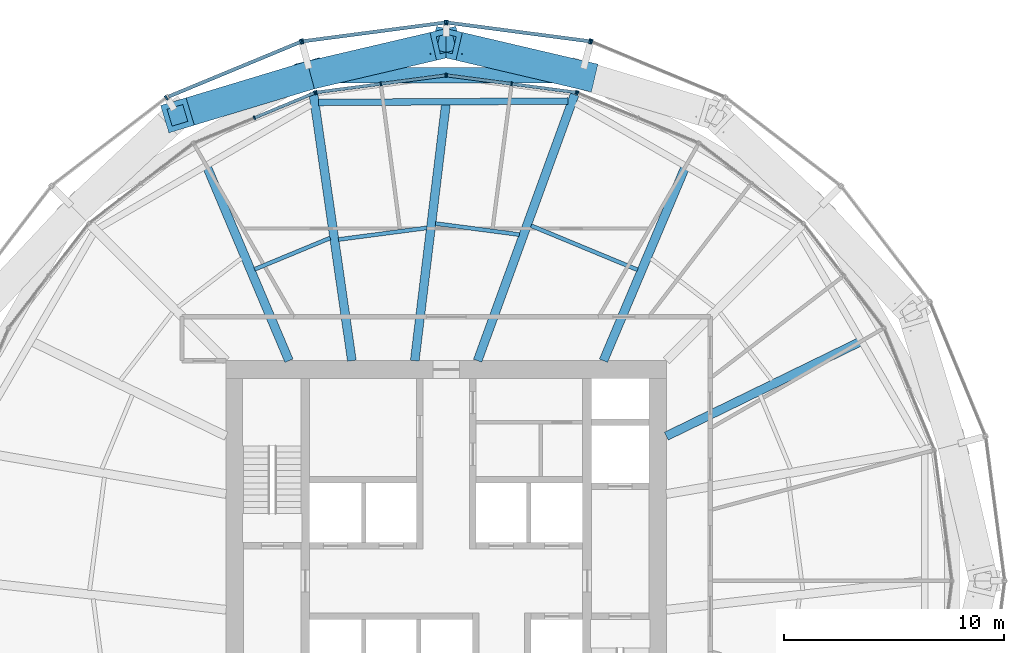
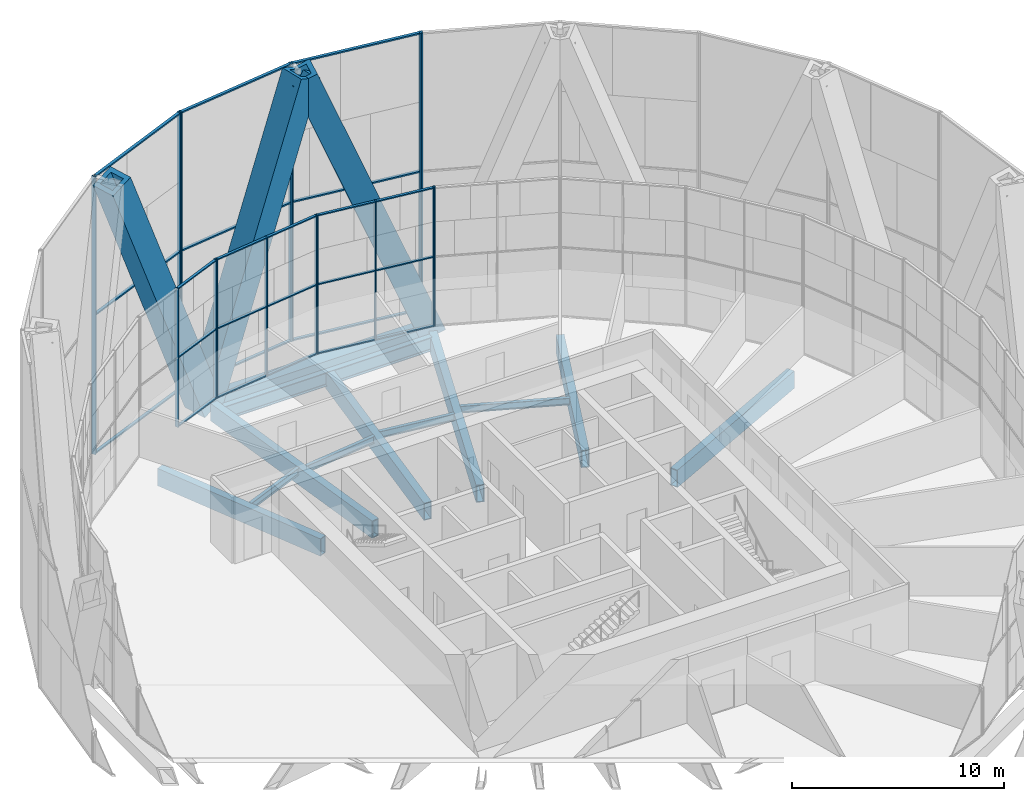
# One storey, part 7 of 22: 43 members, 12 beams, 9 elements without a shape of their own.
"""IFC4 building model written with IfcOpenShell, lengths in metres."""

from ifc_helpers import new_model, si_unit, direction, frame, origin, origin_2d, place, context, subcontext, project, spatial, rectangle, hollow_rectangle, i_section, extrude, material, material_profile, profile_set, type_object, element, aggregate, save


model = new_model("IFC4")

# Units and contexts
model_context = context("Model", 3, precision=1e-05, world=origin(), true_north=direction((0.0, 1.0)))
body_context = subcontext(model_context, "Body", "Model", "MODEL_VIEW")
ifc_project = project(units=[si_unit("LENGTHUNIT", "METRE"), si_unit("AREAUNIT", "SQUARE_METRE"), si_unit("VOLUMEUNIT", "CUBIC_METRE"), si_unit("PLANEANGLEUNIT", "RADIAN"), si_unit("MASSUNIT", "GRAM", prefix="KILO")], contexts=[model_context])

# Site, building, storey
site_placement = place(None, origin())
site = spatial("IfcSite", under=ifc_project, at=site_placement, CompositionType="ELEMENT")
building_placement = place(site_placement, origin())
building = spatial("IfcBuilding", under=site, at=building_placement, Name="Golbaran Civic Tower", CompositionType="ELEMENT")
storey_placement = place(building_placement, frame((0.0, 0.0, 37.0)))
storey = spatial("IfcBuildingStorey", under=building, at=storey_placement, Name="L08", CompositionType="ELEMENT", Elevation=37.0)

# Members
ifc_material_1 = material(Name="Steel S355", Category="steel")
ifc_material_profile_1 = material_profile(ifc_material_1, hollow_rectangle(XDim=1.300048828125, YDim=1.300048828125, WallThickness=0.25, at=origin_2d()), Name="BOX 1300x1300x250")
ifc_profile_set_1 = profile_set([ifc_material_profile_1], Name="Steel S355")
member_type_1 = type_object("IfcMemberType", Name="DIAGRID DIAGONAL BOX 1300x1300x250", PredefinedType="BRACE", material=ifc_profile_set_1)
for number, where, z_axis, x_axis, name in (
    (1, (6.156005859375, 22.974609375, -0.7099609375), (-0.357826251971, 0.083783707779, 0.930021861953), (-0.227980273435, -0.97366575113, 0.0), "Diagonal D01-02R L08-L12"),
    (2, (-6.156005859375, 22.974609375, -0.7099609375), (-0.351780312348, -0.106361428095, 0.930020353787), (0.289412539524, -0.957204461944, 0.0), "Diagonal D01-03R L08-L12"),
    (3, (-6.156005859375, 22.974609375, -0.7099609375), (0.357826251971, 0.083783707779, 0.930021861953), (-0.227980273435, 0.97366575113, 0.0), "Diagonal D01-03L L08-L12"),
):
    element("IfcMember", number, at=place(storey_placement, frame(where, z_axis=z_axis, x_axis=x_axis)), inside=storey, type_object=member_type_1, Name=name, PredefinedType="BRACE", context=body_context, shape_type="SweptSolid", body=[
        extrude(hollow_rectangle(XDim=1.300048828125, YDim=1.300048828125, WallThickness=0.25, at=origin_2d()), origin(), (0.0, 0.0, 1.0), 17.203857421875),
    ])

# Beams
ifc_material_profile_2 = material_profile(ifc_material_1, hollow_rectangle(XDim=0.699951171875, YDim=0.699951171875, WallThickness=0.080078125, at=origin_2d()), Name="BOX 700x700x80")
ifc_profile_set_2 = profile_set([ifc_material_profile_2], Name="Steel S355")
beam_type_1 = type_object("IfcBeamType", Name="DIAGRID RING TIE BOX 700x700x80", PredefinedType="BEAM", material=ifc_profile_set_2)
beam_1_placement = place(storey_placement, frame((6.156005859375, 22.974609375, -0.7099609375), z_axis=(-1.0, 0.0, 0.0), x_axis=(0.0, -1.0, 0.0)))
element("IfcBeam", 4, at=beam_1_placement, inside=storey, type_object=beam_type_1, Name="Ring tie 75.00 L08", PredefinedType="BEAM", context=body_context, shape_type="SweptSolid", body=[
    extrude(hollow_rectangle(XDim=0.699951171875, YDim=0.699951171875, WallThickness=0.080078125, at=origin_2d()), origin(), (0.0, 0.0, 1.0), 12.31201171875),
])
ifc_material_profile_3 = material_profile(ifc_material_1, i_section(OverallWidth=0.300048828125, OverallDepth=0.800048828125, WebThickness=0.017578125, FlangeThickness=0.032958984375, FilletRadius=0.030029296875, at=origin_2d()), Name="HEB 800")
ifc_profile_set_3 = profile_set([ifc_material_profile_3], Name="Steel S355")
beam_type_2 = type_object("IfcBeamType", Name="EDGE BEAM HEB 800", PredefinedType="BEAM", material=ifc_profile_set_3)
beam_2_placement = place(storey_placement, frame((5.5341796875, 21.793701171875, -0.60009765625), z_axis=(-0.999983570269, -0.005732293811, 0.0), x_axis=(0.005732293811, -0.999983570269, 0.0)))
element("IfcBeam", 5, at=beam_2_placement, inside=storey, type_object=beam_type_2, Name="Edge beam 75.00 L08", PredefinedType="BEAM", context=body_context, shape_type="SweptSolid", body=[
    extrude(i_section(OverallWidth=0.300048828125, OverallDepth=0.800048828125, WebThickness=0.017578125, FlangeThickness=0.032958984375, FilletRadius=0.030029296875, at=origin_2d()), origin(), (0.0, 0.0, 1.0), 11.3291015625),
])
ifc_material_profile_4 = material_profile(ifc_material_1, i_section(OverallWidth=0.179931640625, OverallDepth=0.39990234375, WebThickness=0.008544921875, FlangeThickness=0.013427734375, FilletRadius=0.02099609375, at=origin_2d()), Name="IPE 400")
ifc_profile_set_4 = profile_set([ifc_material_profile_4], Name="Steel S355")
beam_type_3 = type_object("IfcBeamType", Name="FLOOR INFILL BEAM IPE 400", PredefinedType="BEAM", material=ifc_profile_set_4)
beam_3_placement = place(storey_placement, frame((8.691162109375, 14.1279296875, -0.39990234375), z_axis=(-0.923869625223, 0.382707349798, 0.0), x_axis=(-0.382707349798, -0.923869625223, 0.0)))
element("IfcBeam", 6, at=beam_3_placement, inside=storey, type_object=beam_type_3, Name="Infill beam 67.50 L08", PredefinedType="BEAM", context=body_context, shape_type="SweptSolid", body=[
    extrude(i_section(OverallWidth=0.179931640625, OverallDepth=0.39990234375, WebThickness=0.008544921875, FlangeThickness=0.013427734375, FilletRadius=0.02099609375, at=origin_2d()), origin(), (0.0, 0.0, 1.0), 5.235595703125),
])
beam_4_placement = place(storey_placement, frame((3.32373046875, 15.72705078125, -0.39990234375), z_axis=(-0.99144435734, 0.130530020676, 0.0), x_axis=(-0.130530020676, -0.99144435734, 0.0)))
element("IfcBeam", 7, at=beam_4_placement, inside=storey, type_object=beam_type_3, Name="Infill beam 82.50 L08", PredefinedType="BEAM", context=body_context, shape_type="SweptSolid", body=[
    extrude(i_section(OverallWidth=0.179931640625, OverallDepth=0.39990234375, WebThickness=0.008544921875, FlangeThickness=0.013427734375, FilletRadius=0.02099609375, at=origin_2d()), origin(), (0.0, 0.0, 1.0), 3.847412109375),
])
beam_5_placement = place(storey_placement, frame((-0.877197265625, 16.032470703125, -0.39990234375), z_axis=(-0.991443225184, -0.130538619713, 0.0), x_axis=(0.130538619713, -0.991443225184, 0.0)))
element("IfcBeam", 8, at=beam_5_placement, inside=storey, type_object=beam_type_3, Name="Infill beam 97.50 L08", PredefinedType="BEAM", context=body_context, shape_type="SweptSolid", body=[
    extrude(i_section(OverallWidth=0.179931640625, OverallDepth=0.39990234375, WebThickness=0.008544921875, FlangeThickness=0.013427734375, FilletRadius=0.02099609375, at=origin_2d()), origin(), (0.0, 0.0, 1.0), 4.0546875),
])
beam_6_placement = place(storey_placement, frame((-5.270751953125, 15.572021484375, -0.39990234375), z_axis=(-0.923870238658, -0.382705868941, 0.0), x_axis=(0.382705868941, -0.923870238658, 0.0)))
element("IfcBeam", 9, at=beam_6_placement, inside=storey, type_object=beam_type_3, Name="Infill beam 112.50 L08", PredefinedType="BEAM", context=body_context, shape_type="SweptSolid", body=[
    extrude(i_section(OverallWidth=0.179931640625, OverallDepth=0.39990234375, WebThickness=0.008544921875, FlangeThickness=0.013427734375, FilletRadius=0.02099609375, at=origin_2d()), origin(), (0.0, 0.0, 1.0), 3.714599609375),
])

# Curtain wall, member
ifc_material_2 = material(Name="Aluminium and glass", Category="aluminium")
curtain_wall_type_1 = type_object("IfcCurtainWallType", Name="INNER SKIN CURTAIN WALL", PredefinedType="NOTDEFINED", material=ifc_material_2)
curtain_wall_1_placement = place(storey_placement, origin())
curtain_wall_1 = element("IfcCurtainWall", 10, at=curtain_wall_1_placement, inside=storey, type_object=curtain_wall_type_1, Name="Inner skin L08 facet 5 CW1", ObjectType="INNER SKIN", PredefinedType="USERDEFINED")
ifc_material_3 = material(Name="Aluminium", Category="aluminium")
ifc_material_profile_5 = material_profile(ifc_material_3, rectangle(XDim=0.179931640625, YDim=0.06494140625, at=origin_2d()), Name="INNER SKIN CURTAIN WALL MULLION")
ifc_profile_set_5 = profile_set([ifc_material_profile_5], Name="Aluminium")
member_type_2 = type_object("IfcMemberType", Name="INNER SKIN CURTAIN WALL MULLION", PredefinedType="MULLION", material=ifc_profile_set_5)
member_1_placement = place(storey_placement, frame((5.97265625, 22.166259765625, 0.0), z_axis=(0.0, 0.0, 1.0), x_axis=(-0.382683432365, -0.923879532511, 0.0)))
member_1 = element("IfcMember", 11, at=member_1_placement, type_object=member_type_2, Name="CW1 mullion 3", PredefinedType="MULLION", context=body_context, shape_type="SweptSolid", body=[
    extrude(rectangle(XDim=0.179931640625, YDim=0.06494140625, at=origin_2d()), origin(), (0.0, 0.0, 1.0), 8.0),
])
aggregate(curtain_wall_1, [member_1])

# Curtain wall, members
curtain_wall_2_placement = place(storey_placement, origin())
curtain_wall_2 = element("IfcCurtainWall", 12, at=curtain_wall_2_placement, inside=storey, type_object=curtain_wall_type_1, Name="Inner skin L08 facet 6 CW1", ObjectType="INNER SKIN", PredefinedType="USERDEFINED")
member_2_placement = place(storey_placement, frame((5.910400390625, 22.182861328125, 0.0), z_axis=(0.0, 0.0, 1.0), x_axis=(-0.130526192289, -0.991444861365, 0.0)))
member_2 = element("IfcMember", 13, at=member_2_placement, type_object=member_type_2, Name="CW1 mullion 1", PredefinedType="MULLION", context=body_context, shape_type="SweptSolid", body=[
    extrude(rectangle(XDim=0.179931640625, YDim=0.06494140625, at=origin_2d()), origin(), (0.0, 0.0, 1.0), 8.0),
])
member_3_placement = place(storey_placement, frame((2.971435546875, 22.56982421875, 0.0), z_axis=(0.0, 0.0, 1.0), x_axis=(-0.130526192289, -0.991444861365, 0.0)))
member_3 = element("IfcMember", 14, at=member_3_placement, type_object=member_type_2, Name="CW1 mullion 2", PredefinedType="MULLION", context=body_context, shape_type="SweptSolid", body=[
    extrude(rectangle(XDim=0.179931640625, YDim=0.06494140625, at=origin_2d()), origin(), (0.0, 0.0, 1.0), 8.0),
])
member_4_placement = place(storey_placement, frame((0.0322265625, 22.956787109375, 0.0), z_axis=(0.0, 0.0, 1.0), x_axis=(-0.130526192289, -0.991444861365, 0.0)))
member_4 = element("IfcMember", 15, at=member_4_placement, type_object=member_type_2, Name="CW1 mullion 3", PredefinedType="MULLION", context=body_context, shape_type="SweptSolid", body=[
    extrude(rectangle(XDim=0.179931640625, YDim=0.06494140625, at=origin_2d()), origin(), (0.0, 0.0, 1.0), 8.0),
])

curtain_wall_3_placement = place(storey_placement, origin())
curtain_wall_3 = element("IfcCurtainWall", 16, at=curtain_wall_3_placement, inside=storey, type_object=curtain_wall_type_1, Name="Inner skin L08 facet 7 CW1", ObjectType="INNER SKIN", PredefinedType="USERDEFINED")
member_5_placement = place(storey_placement, frame((-0.0322265625, 22.956787109375, 0.0), z_axis=(0.0, 0.0, 1.0), x_axis=(0.130526192289, -0.991444861365, 0.0)))
member_5 = element("IfcMember", 17, at=member_5_placement, type_object=member_type_2, Name="CW1 mullion 1", PredefinedType="MULLION", context=body_context, shape_type="SweptSolid", body=[
    extrude(rectangle(XDim=0.179931640625, YDim=0.06494140625, at=origin_2d()), origin(), (0.0, 0.0, 1.0), 8.0),
])
member_6_placement = place(storey_placement, frame((-2.971435546875, 22.56982421875, 0.0), z_axis=(0.0, 0.0, 1.0), x_axis=(0.130526192289, -0.991444861365, 0.0)))
member_6 = element("IfcMember", 18, at=member_6_placement, type_object=member_type_2, Name="CW1 mullion 2", PredefinedType="MULLION", context=body_context, shape_type="SweptSolid", body=[
    extrude(rectangle(XDim=0.179931640625, YDim=0.06494140625, at=origin_2d()), origin(), (0.0, 0.0, 1.0), 8.0),
])
member_7_placement = place(storey_placement, frame((-5.910400390625, 22.182861328125, 0.0), z_axis=(0.0, 0.0, 1.0), x_axis=(0.130526192289, -0.991444861365, 0.0)))
member_7 = element("IfcMember", 19, at=member_7_placement, type_object=member_type_2, Name="CW1 mullion 3", PredefinedType="MULLION", context=body_context, shape_type="SweptSolid", body=[
    extrude(rectangle(XDim=0.179931640625, YDim=0.06494140625, at=origin_2d()), origin(), (0.0, 0.0, 1.0), 8.0),
])

curtain_wall_4_placement = place(storey_placement, origin())
curtain_wall_4 = element("IfcCurtainWall", 20, at=curtain_wall_4_placement, inside=storey, type_object=curtain_wall_type_1, Name="Inner skin L08 facet 8 CW1", ObjectType="INNER SKIN", PredefinedType="USERDEFINED")
member_8_placement = place(storey_placement, frame((-5.97265625, 22.166259765625, 0.0), z_axis=(0.0, 0.0, 1.0), x_axis=(0.382683432365, -0.923879532511, 0.0)))
member_8 = element("IfcMember", 21, at=member_8_placement, type_object=member_type_2, Name="CW1 mullion 1", PredefinedType="MULLION", context=body_context, shape_type="SweptSolid", body=[
    extrude(rectangle(XDim=0.179931640625, YDim=0.06494140625, at=origin_2d()), origin(), (0.0, 0.0, 1.0), 8.0),
])
member_9_placement = place(storey_placement, frame((-8.711669921875, 21.03173828125, 0.0), z_axis=(0.0, 0.0, 1.0), x_axis=(0.382683432365, -0.923879532511, 0.0)))
member_9 = element("IfcMember", 22, at=member_9_placement, type_object=member_type_2, Name="CW1 mullion 2", PredefinedType="MULLION", context=body_context, shape_type="SweptSolid", body=[
    extrude(rectangle(XDim=0.179931640625, YDim=0.06494140625, at=origin_2d()), origin(), (0.0, 0.0, 1.0), 8.0),
])

# Member
ifc_material_profile_6 = material_profile(ifc_material_3, rectangle(XDim=0.139892578125, YDim=0.06494140625, at=origin_2d()), Name="INNER SKIN CURTAIN WALL TRANSOM")
ifc_profile_set_6 = profile_set([ifc_material_profile_6], Name="Aluminium")
member_type_3 = type_object("IfcMemberType", Name="INNER SKIN CURTAIN WALL TRANSOM", PredefinedType="USERDEFINED", material=ifc_profile_set_6)
member_10_placement = place(storey_placement, frame((5.87841796875, 22.18701171875, 0.032470703125), z_axis=(-0.991436231249, 0.130591727785, 0.0), x_axis=(-0.130591727785, -0.991436231249, 0.0)))
member_10 = element("IfcMember", 23, at=member_10_placement, type_object=member_type_3, Name="CW1 transom 1.1", ObjectType="TRANSOM", PredefinedType="USERDEFINED", context=body_context, shape_type="SweptSolid", body=[
    extrude(rectangle(XDim=0.139892578125, YDim=0.06494140625, at=origin_2d()), origin(), (0.0, 0.0, 1.0), 2.899658203125),
])

member_11_placement = place(storey_placement, frame((5.87841796875, 22.18701171875, 4.0), z_axis=(-0.991436231249, 0.130591727785, 0.0), x_axis=(-0.130591727785, -0.991436231249, 0.0)))
member_11 = element("IfcMember", 24, at=member_11_placement, type_object=member_type_3, Name="CW1 transom 1.2", ObjectType="TRANSOM", PredefinedType="USERDEFINED", context=body_context, shape_type="SweptSolid", body=[
    extrude(rectangle(XDim=0.139892578125, YDim=0.06494140625, at=origin_2d()), origin(), (0.0, 0.0, 1.0), 2.899658203125),
])

member_12_placement = place(storey_placement, frame((5.87841796875, 22.18701171875, 7.967529296875), z_axis=(-0.991436231249, 0.130591727785, 0.0), x_axis=(-0.130591727785, -0.991436231249, 0.0)))
member_12 = element("IfcMember", 25, at=member_12_placement, type_object=member_type_3, Name="CW1 transom 1.3", ObjectType="TRANSOM", PredefinedType="USERDEFINED", context=body_context, shape_type="SweptSolid", body=[
    extrude(rectangle(XDim=0.139892578125, YDim=0.06494140625, at=origin_2d()), origin(), (0.0, 0.0, 1.0), 2.899658203125),
])

member_13_placement = place(storey_placement, frame((2.939208984375, 22.573974609375, 0.032470703125), z_axis=(-0.991436231249, 0.130591727785, 0.0), x_axis=(-0.130591727785, -0.991436231249, 0.0)))
member_13 = element("IfcMember", 26, at=member_13_placement, type_object=member_type_3, Name="CW1 transom 2.1", ObjectType="TRANSOM", PredefinedType="USERDEFINED", context=body_context, shape_type="SweptSolid", body=[
    extrude(rectangle(XDim=0.139892578125, YDim=0.06494140625, at=origin_2d()), origin(), (0.0, 0.0, 1.0), 2.899658203125),
])

member_14_placement = place(storey_placement, frame((2.939208984375, 22.573974609375, 4.0), z_axis=(-0.991436231249, 0.130591727785, 0.0), x_axis=(-0.130591727785, -0.991436231249, 0.0)))
member_14 = element("IfcMember", 27, at=member_14_placement, type_object=member_type_3, Name="CW1 transom 2.2", ObjectType="TRANSOM", PredefinedType="USERDEFINED", context=body_context, shape_type="SweptSolid", body=[
    extrude(rectangle(XDim=0.139892578125, YDim=0.06494140625, at=origin_2d()), origin(), (0.0, 0.0, 1.0), 2.899658203125),
])

member_15_placement = place(storey_placement, frame((2.939208984375, 22.573974609375, 7.967529296875), z_axis=(-0.991436231249, 0.130591727785, 0.0), x_axis=(-0.130591727785, -0.991436231249, 0.0)))
member_15 = element("IfcMember", 28, at=member_15_placement, type_object=member_type_3, Name="CW1 transom 2.3", ObjectType="TRANSOM", PredefinedType="USERDEFINED", context=body_context, shape_type="SweptSolid", body=[
    extrude(rectangle(XDim=0.139892578125, YDim=0.06494140625, at=origin_2d()), origin(), (0.0, 0.0, 1.0), 2.899658203125),
])

aggregate(curtain_wall_2, [member_2, member_3, member_4, member_10, member_11, member_12, member_13, member_14, member_15])

member_16_placement = place(storey_placement, frame((-0.064453125, 22.95263671875, 0.032470703125), z_axis=(-0.991436231249, -0.130591727785, 0.0), x_axis=(0.130591727785, -0.991436231249, 0.0)))
member_16 = element("IfcMember", 29, at=member_16_placement, type_object=member_type_3, Name="CW1 transom 1.1", ObjectType="TRANSOM", PredefinedType="USERDEFINED", context=body_context, shape_type="SweptSolid", body=[
    extrude(rectangle(XDim=0.139892578125, YDim=0.06494140625, at=origin_2d()), origin(), (0.0, 0.0, 1.0), 2.899658203125),
])

member_17_placement = place(storey_placement, frame((-0.064453125, 22.95263671875, 4.0), z_axis=(-0.991436231249, -0.130591727785, 0.0), x_axis=(0.130591727785, -0.991436231249, 0.0)))
member_17 = element("IfcMember", 30, at=member_17_placement, type_object=member_type_3, Name="CW1 transom 1.2", ObjectType="TRANSOM", PredefinedType="USERDEFINED", context=body_context, shape_type="SweptSolid", body=[
    extrude(rectangle(XDim=0.139892578125, YDim=0.06494140625, at=origin_2d()), origin(), (0.0, 0.0, 1.0), 2.899658203125),
])

member_18_placement = place(storey_placement, frame((-0.064453125, 22.95263671875, 7.967529296875), z_axis=(-0.991436231249, -0.130591727785, 0.0), x_axis=(0.130591727785, -0.991436231249, 0.0)))
member_18 = element("IfcMember", 31, at=member_18_placement, type_object=member_type_3, Name="CW1 transom 1.3", ObjectType="TRANSOM", PredefinedType="USERDEFINED", context=body_context, shape_type="SweptSolid", body=[
    extrude(rectangle(XDim=0.139892578125, YDim=0.06494140625, at=origin_2d()), origin(), (0.0, 0.0, 1.0), 2.899658203125),
])

member_19_placement = place(storey_placement, frame((-3.003662109375, 22.565673828125, 0.032470703125), z_axis=(-0.991436231249, -0.130591727785, 0.0), x_axis=(0.130591727785, -0.991436231249, 0.0)))
member_19 = element("IfcMember", 32, at=member_19_placement, type_object=member_type_3, Name="CW1 transom 2.1", ObjectType="TRANSOM", PredefinedType="USERDEFINED", context=body_context, shape_type="SweptSolid", body=[
    extrude(rectangle(XDim=0.139892578125, YDim=0.06494140625, at=origin_2d()), origin(), (0.0, 0.0, 1.0), 2.899658203125),
])

member_20_placement = place(storey_placement, frame((-3.003662109375, 22.565673828125, 4.0), z_axis=(-0.991436231249, -0.130591727785, 0.0), x_axis=(0.130591727785, -0.991436231249, 0.0)))
member_20 = element("IfcMember", 33, at=member_20_placement, type_object=member_type_3, Name="CW1 transom 2.2", ObjectType="TRANSOM", PredefinedType="USERDEFINED", context=body_context, shape_type="SweptSolid", body=[
    extrude(rectangle(XDim=0.139892578125, YDim=0.06494140625, at=origin_2d()), origin(), (0.0, 0.0, 1.0), 2.899658203125),
])

member_21_placement = place(storey_placement, frame((-3.003662109375, 22.565673828125, 7.967529296875), z_axis=(-0.991436231249, -0.130591727785, 0.0), x_axis=(0.130591727785, -0.991436231249, 0.0)))
member_21 = element("IfcMember", 34, at=member_21_placement, type_object=member_type_3, Name="CW1 transom 2.3", ObjectType="TRANSOM", PredefinedType="USERDEFINED", context=body_context, shape_type="SweptSolid", body=[
    extrude(rectangle(XDim=0.139892578125, YDim=0.06494140625, at=origin_2d()), origin(), (0.0, 0.0, 1.0), 2.899658203125),
])

aggregate(curtain_wall_3, [member_5, member_6, member_7, member_16, member_17, member_18, member_19, member_20, member_21])

member_22_placement = place(storey_placement, frame((-6.002685546875, 22.15380859375, 0.032470703125), z_axis=(-0.923884456628, -0.382671544279, 0.0), x_axis=(0.382671544279, -0.923884456628, 0.0)))
member_22 = element("IfcMember", 35, at=member_22_placement, type_object=member_type_3, Name="CW1 transom 1.1", ObjectType="TRANSOM", PredefinedType="USERDEFINED", context=body_context, shape_type="SweptSolid", body=[
    extrude(rectangle(XDim=0.139892578125, YDim=0.06494140625, at=origin_2d()), origin(), (0.0, 0.0, 1.0), 2.899658203125),
])

member_23_placement = place(storey_placement, frame((-6.002685546875, 22.15380859375, 4.0), z_axis=(-0.923884456628, -0.382671544279, 0.0), x_axis=(0.382671544279, -0.923884456628, 0.0)))
member_23 = element("IfcMember", 36, at=member_23_placement, type_object=member_type_3, Name="CW1 transom 1.2", ObjectType="TRANSOM", PredefinedType="USERDEFINED", context=body_context, shape_type="SweptSolid", body=[
    extrude(rectangle(XDim=0.139892578125, YDim=0.06494140625, at=origin_2d()), origin(), (0.0, 0.0, 1.0), 2.899658203125),
])

member_24_placement = place(storey_placement, frame((-6.002685546875, 22.15380859375, 7.967529296875), z_axis=(-0.923884456628, -0.382671544279, 0.0), x_axis=(0.382671544279, -0.923884456628, 0.0)))
member_24 = element("IfcMember", 37, at=member_24_placement, type_object=member_type_3, Name="CW1 transom 1.3", ObjectType="TRANSOM", PredefinedType="USERDEFINED", context=body_context, shape_type="SweptSolid", body=[
    extrude(rectangle(XDim=0.139892578125, YDim=0.06494140625, at=origin_2d()), origin(), (0.0, 0.0, 1.0), 2.899658203125),
])

aggregate(curtain_wall_4, [member_8, member_9, member_22, member_23, member_24])

# Curtain wall, member
curtain_wall_type_2 = type_object("IfcCurtainWallType", Name="OUTER SKIN TERRACOTTA SCREEN", PredefinedType="NOTDEFINED", material=ifc_material_2)
curtain_wall_5_placement = place(storey_placement, origin())
curtain_wall_5 = element("IfcCurtainWall", 38, at=curtain_wall_5_placement, inside=storey, type_object=curtain_wall_type_2, Name="Outer skin L08 facet 5 CW3", ObjectType="OUTER SKIN", PredefinedType="USERDEFINED")
ifc_material_profile_7 = material_profile(ifc_material_3, rectangle(XDim=0.219970703125, YDim=0.080078125, at=origin_2d()), Name="OUTER SKIN TERRACOTTA SCREEN MULLION")
ifc_profile_set_7 = profile_set([ifc_material_profile_7], Name="Aluminium")
member_type_4 = type_object("IfcMemberType", Name="OUTER SKIN TERRACOTTA SCREEN MULLION", PredefinedType="MULLION", material=ifc_profile_set_7)
member_25_placement = place(storey_placement, frame((6.60205078125, 24.486328125, -0.7099609375), z_axis=(0.0, 0.0, 1.0), x_axis=(-0.382683432462, -0.923879532471, 0.0)))
member_25 = element("IfcMember", 39, at=member_25_placement, type_object=member_type_4, Name="CW3 mullion 2", PredefinedType="MULLION", context=body_context, shape_type="SweptSolid", body=[
    extrude(rectangle(XDim=0.219970703125, YDim=0.080078125, at=origin_2d()), origin(), (0.0, 0.0, 1.0), 16.0),
])
aggregate(curtain_wall_5, [member_25])

# Curtain wall, members
curtain_wall_6_placement = place(storey_placement, origin())
curtain_wall_6 = element("IfcCurtainWall", 40, at=curtain_wall_6_placement, inside=storey, type_object=curtain_wall_type_2, Name="Outer skin L08 facet 6 CW3", ObjectType="OUTER SKIN", PredefinedType="USERDEFINED")
member_26_placement = place(storey_placement, frame((6.525634765625, 24.5068359375, -0.7099609375), z_axis=(0.0, 0.0, 1.0), x_axis=(-0.130526192168, -0.991444861381, 0.0)))
member_26 = element("IfcMember", 41, at=member_26_placement, type_object=member_type_4, Name="CW3 mullion 1", PredefinedType="MULLION", context=body_context, shape_type="SweptSolid", body=[
    extrude(rectangle(XDim=0.219970703125, YDim=0.080078125, at=origin_2d()), origin(), (0.0, 0.0, 1.0), 16.0),
])
member_27_placement = place(storey_placement, frame((0.03955078125, 25.36083984375, -0.7099609375), z_axis=(0.0, 0.0, 1.0), x_axis=(-0.130526192168, -0.991444861381, 0.0)))
member_27 = element("IfcMember", 42, at=member_27_placement, type_object=member_type_4, Name="CW3 mullion 2", PredefinedType="MULLION", context=body_context, shape_type="SweptSolid", body=[
    extrude(rectangle(XDim=0.219970703125, YDim=0.080078125, at=origin_2d()), origin(), (0.0, 0.0, 1.0), 16.0),
])

curtain_wall_7_placement = place(storey_placement, origin())
curtain_wall_7 = element("IfcCurtainWall", 43, at=curtain_wall_7_placement, inside=storey, type_object=curtain_wall_type_2, Name="Outer skin L08 facet 7 CW3", ObjectType="OUTER SKIN", PredefinedType="USERDEFINED")
member_28_placement = place(storey_placement, frame((-0.03955078125, 25.36083984375, -0.7099609375), z_axis=(0.0, 0.0, 1.0), x_axis=(0.130526192168, -0.991444861381, 0.0)))
member_28 = element("IfcMember", 44, at=member_28_placement, type_object=member_type_4, Name="CW3 mullion 1", PredefinedType="MULLION", context=body_context, shape_type="SweptSolid", body=[
    extrude(rectangle(XDim=0.219970703125, YDim=0.080078125, at=origin_2d()), origin(), (0.0, 0.0, 1.0), 16.0),
])
member_29_placement = place(storey_placement, frame((-6.525634765625, 24.5068359375, -0.7099609375), z_axis=(0.0, 0.0, 1.0), x_axis=(0.130526192168, -0.991444861381, 0.0)))
member_29 = element("IfcMember", 45, at=member_29_placement, type_object=member_type_4, Name="CW3 mullion 2", PredefinedType="MULLION", context=body_context, shape_type="SweptSolid", body=[
    extrude(rectangle(XDim=0.219970703125, YDim=0.080078125, at=origin_2d()), origin(), (0.0, 0.0, 1.0), 16.0),
])

# Curtain wall, member
curtain_wall_8_placement = place(storey_placement, origin())
curtain_wall_8 = element("IfcCurtainWall", 46, at=curtain_wall_8_placement, inside=storey, type_object=curtain_wall_type_2, Name="Outer skin L08 facet 8 CW3", ObjectType="OUTER SKIN", PredefinedType="USERDEFINED")
member_30_placement = place(storey_placement, frame((-6.60205078125, 24.486328125, -0.7099609375), z_axis=(0.0, 0.0, 1.0), x_axis=(0.382683432462, -0.923879532471, 0.0)))
member_30 = element("IfcMember", 47, at=member_30_placement, type_object=member_type_4, Name="CW3 mullion 1", PredefinedType="MULLION", context=body_context, shape_type="SweptSolid", body=[
    extrude(rectangle(XDim=0.219970703125, YDim=0.080078125, at=origin_2d()), origin(), (0.0, 0.0, 1.0), 16.0),
])

curtain_wall_9_placement = place(storey_placement, origin())
curtain_wall_9 = element("IfcCurtainWall", 48, at=curtain_wall_9_placement, inside=storey, type_object=curtain_wall_type_2, Name="Outer skin L08 facet 9 CW3", ObjectType="OUTER SKIN", PredefinedType="USERDEFINED")
member_31_placement = place(storey_placement, frame((-12.71484375, 21.943359375, -0.7099609375), z_axis=(0.0, 0.0, 1.0), x_axis=(0.608761428898, -0.793353340376, 0.0)))
member_31 = element("IfcMember", 49, at=member_31_placement, type_object=member_type_4, Name="CW3 mullion 1", PredefinedType="MULLION", context=body_context, shape_type="SweptSolid", body=[
    extrude(rectangle(XDim=0.219970703125, YDim=0.080078125, at=origin_2d()), origin(), (0.0, 0.0, 1.0), 16.0),
])
aggregate(curtain_wall_9, [member_31])

# Member
ifc_material_profile_8 = material_profile(ifc_material_3, rectangle(XDim=0.159912109375, YDim=0.080078125, at=origin_2d()), Name="OUTER SKIN TERRACOTTA SCREEN TRANSOM")
ifc_profile_set_8 = profile_set([ifc_material_profile_8], Name="Aluminium")
member_type_5 = type_object("IfcMemberType", Name="OUTER SKIN TERRACOTTA SCREEN TRANSOM", PredefinedType="USERDEFINED", material=ifc_profile_set_8)
member_32_placement = place(storey_placement, frame((6.48583984375, 24.51220703125, -0.669921875), z_axis=(-0.991448250321, 0.130500448024, 0.0), x_axis=(-0.130500448024, -0.991448250321, 0.0)))
member_32 = element("IfcMember", 50, at=member_32_placement, type_object=member_type_5, Name="CW3 transom 1.1", ObjectType="TRANSOM", PredefinedType="USERDEFINED", context=body_context, shape_type="SweptSolid", body=[
    extrude(rectangle(XDim=0.159912109375, YDim=0.080078125, at=origin_2d()), origin(), (0.0, 0.0, 1.0), 6.461669921875),
])

member_33_placement = place(storey_placement, frame((6.48583984375, 24.51220703125, 7.2900390625), z_axis=(-0.991448250321, 0.130500448024, 0.0), x_axis=(-0.130500448024, -0.991448250321, 0.0)))
member_33 = element("IfcMember", 51, at=member_33_placement, type_object=member_type_5, Name="CW3 transom 1.2", ObjectType="TRANSOM", PredefinedType="USERDEFINED", context=body_context, shape_type="SweptSolid", body=[
    extrude(rectangle(XDim=0.159912109375, YDim=0.080078125, at=origin_2d()), origin(), (0.0, 0.0, 1.0), 6.461669921875),
])

member_34_placement = place(storey_placement, frame((6.48583984375, 24.51220703125, 15.25), z_axis=(-0.991448250321, 0.130500448024, 0.0), x_axis=(-0.130500448024, -0.991448250321, 0.0)))
member_34 = element("IfcMember", 52, at=member_34_placement, type_object=member_type_5, Name="CW3 transom 1.3", ObjectType="TRANSOM", PredefinedType="USERDEFINED", context=body_context, shape_type="SweptSolid", body=[
    extrude(rectangle(XDim=0.159912109375, YDim=0.080078125, at=origin_2d()), origin(), (0.0, 0.0, 1.0), 6.461669921875),
])

aggregate(curtain_wall_6, [member_26, member_27, member_32, member_33, member_34])

member_35_placement = place(storey_placement, frame((-0.079345703125, 25.35546875, -0.669921875), z_axis=(-0.991448250321, -0.130500448024, 0.0), x_axis=(0.130500448024, -0.991448250321, 0.0)))
member_35 = element("IfcMember", 53, at=member_35_placement, type_object=member_type_5, Name="CW3 transom 1.1", ObjectType="TRANSOM", PredefinedType="USERDEFINED", context=body_context, shape_type="SweptSolid", body=[
    extrude(rectangle(XDim=0.159912109375, YDim=0.080078125, at=origin_2d()), origin(), (0.0, 0.0, 1.0), 6.461669921875),
])

member_36_placement = place(storey_placement, frame((-0.079345703125, 25.35546875, 7.2900390625), z_axis=(-0.991448250321, -0.130500448024, 0.0), x_axis=(0.130500448024, -0.991448250321, 0.0)))
member_36 = element("IfcMember", 54, at=member_36_placement, type_object=member_type_5, Name="CW3 transom 1.2", ObjectType="TRANSOM", PredefinedType="USERDEFINED", context=body_context, shape_type="SweptSolid", body=[
    extrude(rectangle(XDim=0.159912109375, YDim=0.080078125, at=origin_2d()), origin(), (0.0, 0.0, 1.0), 6.461669921875),
])

member_37_placement = place(storey_placement, frame((-0.079345703125, 25.35546875, 15.25), z_axis=(-0.991448250321, -0.130500448024, 0.0), x_axis=(0.130500448024, -0.991448250321, 0.0)))
member_37 = element("IfcMember", 55, at=member_37_placement, type_object=member_type_5, Name="CW3 transom 1.3", ObjectType="TRANSOM", PredefinedType="USERDEFINED", context=body_context, shape_type="SweptSolid", body=[
    extrude(rectangle(XDim=0.159912109375, YDim=0.080078125, at=origin_2d()), origin(), (0.0, 0.0, 1.0), 6.461669921875),
])

aggregate(curtain_wall_7, [member_28, member_29, member_35, member_36, member_37])

member_38_placement = place(storey_placement, frame((-6.63916015625, 24.470947265625, -0.669921875), z_axis=(-0.923889740947, -0.382658786092, 0.0), x_axis=(0.382658786092, -0.923889740947, 0.0)))
member_38 = element("IfcMember", 56, at=member_38_placement, type_object=member_type_5, Name="CW3 transom 1.1", ObjectType="TRANSOM", PredefinedType="USERDEFINED", context=body_context, shape_type="SweptSolid", body=[
    extrude(rectangle(XDim=0.159912109375, YDim=0.080078125, at=origin_2d()), origin(), (0.0, 0.0, 1.0), 6.461669921875),
])

member_39_placement = place(storey_placement, frame((-6.63916015625, 24.470947265625, 7.2900390625), z_axis=(-0.923889740947, -0.382658786092, 0.0), x_axis=(0.382658786092, -0.923889740947, 0.0)))
member_39 = element("IfcMember", 57, at=member_39_placement, type_object=member_type_5, Name="CW3 transom 1.2", ObjectType="TRANSOM", PredefinedType="USERDEFINED", context=body_context, shape_type="SweptSolid", body=[
    extrude(rectangle(XDim=0.159912109375, YDim=0.080078125, at=origin_2d()), origin(), (0.0, 0.0, 1.0), 6.461669921875),
])

member_40_placement = place(storey_placement, frame((-6.63916015625, 24.470947265625, 15.25), z_axis=(-0.923889740947, -0.382658786092, 0.0), x_axis=(0.382658786092, -0.923889740947, 0.0)))
member_40 = element("IfcMember", 58, at=member_40_placement, type_object=member_type_5, Name="CW3 transom 1.3", ObjectType="TRANSOM", PredefinedType="USERDEFINED", context=body_context, shape_type="SweptSolid", body=[
    extrude(rectangle(XDim=0.159912109375, YDim=0.080078125, at=origin_2d()), origin(), (0.0, 0.0, 1.0), 6.461669921875),
])

aggregate(curtain_wall_8, [member_30, member_38, member_39, member_40])

# Beams
ifc_material_profile_9 = material_profile(ifc_material_1, hollow_rectangle(XDim=0.39990234375, YDim=1.0, WallThickness=0.050048828125, at=origin_2d()), Name="BOX 1000x400x50")
ifc_profile_set_9 = profile_set([ifc_material_profile_9], Name="Steel S355")
beam_type_4 = type_object("IfcBeamType", Name="RADIAL FLOOR BEAM BOX 1000x400x50", PredefinedType="BEAM", material=ifc_profile_set_9)
beam_7_placement = place(storey_placement, frame((1.428466796875, 10.0, -0.7099609375), z_axis=(0.342355468891, 0.939570504497, 0.0), x_axis=(-0.939570504497, 0.342355468891, 0.0)))
element("IfcBeam", 59, at=beam_7_placement, inside=storey, type_object=beam_type_4, Name="Radial beam 75.00 L08", PredefinedType="BEAM", context=body_context, shape_type="SweptSolid", body=[
    extrude(hollow_rectangle(XDim=0.39990234375, YDim=1.0, WallThickness=0.050048828125, at=origin_2d()), origin(), (0.0, 0.0, 1.0), 12.8662109375),
])
beam_8_placement = place(storey_placement, frame((-4.28564453125, 10.0, -0.7099609375), z_axis=(-0.142691991177, 0.989767142137, 0.0), x_axis=(-0.989767142137, -0.142691991177, 0.0)))
element("IfcBeam", 60, at=beam_8_placement, inside=storey, type_object=beam_type_4, Name="Radial beam 105.00 L08", PredefinedType="BEAM", context=body_context, shape_type="SweptSolid", body=[
    extrude(hollow_rectangle(XDim=0.39990234375, YDim=1.0, WallThickness=0.050048828125, at=origin_2d()), origin(), (0.0, 0.0, 1.0), 12.31884765625),
])
ifc_material_profile_10 = material_profile(ifc_material_1, hollow_rectangle(XDim=0.39990234375, YDim=1.0, WallThickness=0.0400390625, at=origin_2d()), Name="BOX 1000x400x40")
ifc_profile_set_10 = profile_set([ifc_material_profile_10], Name="Steel S355")
beam_type_5 = type_object("IfcBeamType", Name="SECONDARY FLOOR BEAM BOX 1000x400x40", PredefinedType="BEAM", material=ifc_profile_set_10)
beam_9_placement = place(storey_placement, frame((10.0, 6.571533203125, -0.7099609375), z_axis=(0.898941617936, 0.438068450751, 0.0), x_axis=(-0.438068450751, 0.898941617936, 0.0)))
element("IfcBeam", 61, at=beam_9_placement, inside=storey, type_object=beam_type_5, Name="Secondary beam 30.00 L08", PredefinedType="BEAM", context=body_context, shape_type="SweptSolid", body=[
    extrude(hollow_rectangle(XDim=0.39990234375, YDim=1.0, WallThickness=0.0400390625, at=origin_2d()), origin(), (0.0, 0.0, 1.0), 9.85986328125),
])
beam_10_placement = place(storey_placement, frame((7.142822265625, 10.0, -0.7099609375), z_axis=(0.389126085667, 0.921184503481, 0.0), x_axis=(-0.921184503481, 0.389126085667, 0.0)))
element("IfcBeam", 62, at=beam_10_placement, inside=storey, type_object=beam_type_5, Name="Secondary beam 60.00 L08", PredefinedType="BEAM", context=body_context, shape_type="SweptSolid", body=[
    extrude(hollow_rectangle(XDim=0.39990234375, YDim=1.0, WallThickness=0.0400390625, at=origin_2d()), origin(), (0.0, 0.0, 1.0), 9.59423828125),
])
beam_11_placement = place(storey_placement, frame((-1.428466796875, 10.0, -0.7099609375), z_axis=(0.120562125968, 0.992705784098, 0.0), x_axis=(-0.992705784098, 0.120562125968, 0.0)))
element("IfcBeam", 63, at=beam_11_placement, inside=storey, type_object=beam_type_5, Name="Secondary beam 90.00 L08", PredefinedType="BEAM", context=body_context, shape_type="SweptSolid", body=[
    extrude(hollow_rectangle(XDim=0.39990234375, YDim=1.0, WallThickness=0.0400390625, at=origin_2d()), origin(), (0.0, 0.0, 1.0), 11.848388671875),
])
beam_12_placement = place(storey_placement, frame((-7.142822265625, 10.0, -0.7099609375), z_axis=(-0.389529136843, 0.92101414297, 0.0), x_axis=(-0.92101414297, -0.389529136843, 0.0)))
element("IfcBeam", 64, at=beam_12_placement, inside=storey, type_object=beam_type_5, Name="Secondary beam 120.00 L08", PredefinedType="BEAM", context=body_context, shape_type="SweptSolid", body=[
    extrude(hollow_rectangle(XDim=0.39990234375, YDim=1.0, WallThickness=0.0400390625, at=origin_2d()), origin(), (0.0, 0.0, 1.0), 9.627685546875),
])

save(model, "model.ifc")
